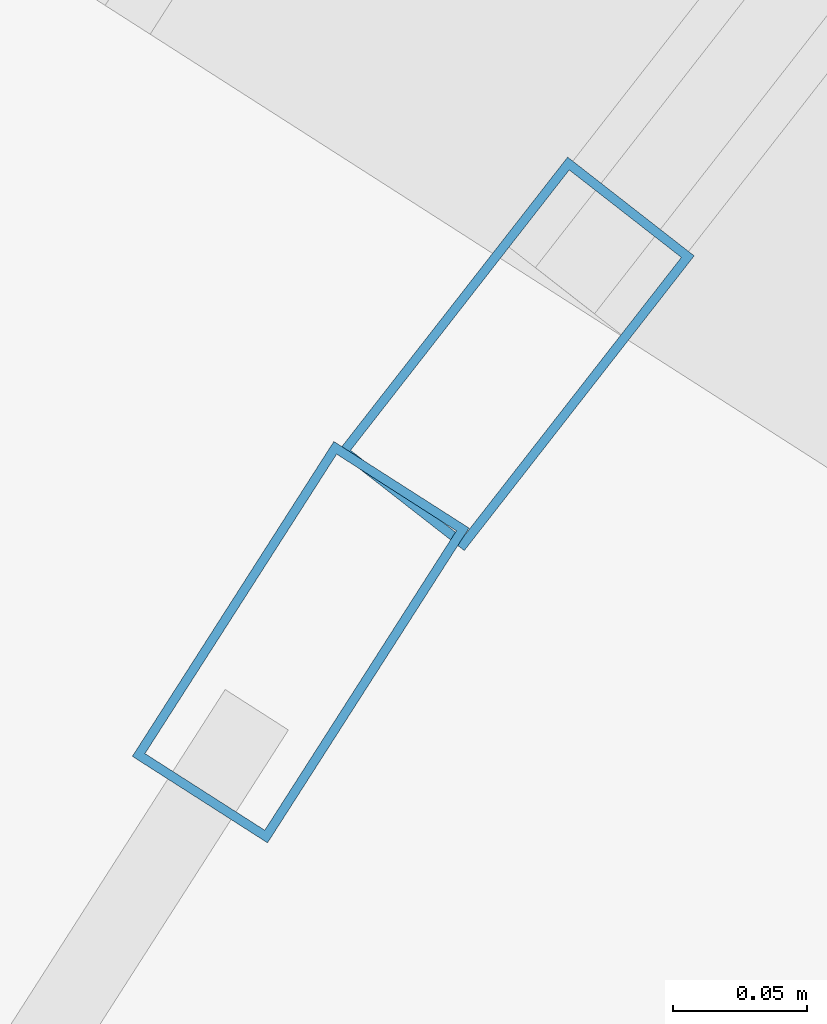
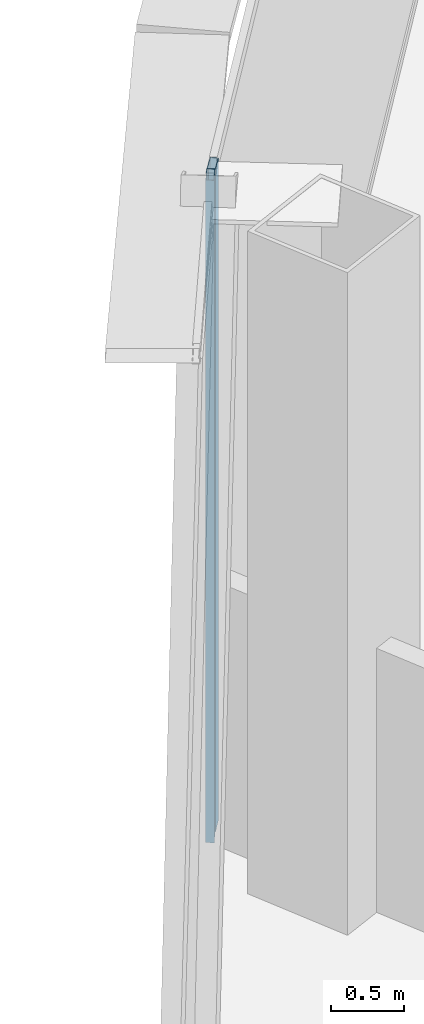
# One storey, part 19 of 38: 2 members, 2 elements without a shape of their own.
"""IFC4 building model written with IfcOpenShell, lengths in metres."""

from ifc_helpers import new_model, si_unit, direction, frame, origin, origin_2d, place, context, subcontext, project, spatial, hollow_rectangle, extrude, source, transform, mapped, material, layer, layer_set, material_profile, profile_set, type_object, element, aggregate, save


model = new_model("IFC4")

# Units and contexts
model_context = context("Model", 3, precision=1e-05, world=origin(), true_north=direction((0.0, 1.0)))
body_context = subcontext(model_context, "Body", "Model", "MODEL_VIEW")
ifc_project = project(units=[si_unit("LENGTHUNIT", "METRE"), si_unit("AREAUNIT", "SQUARE_METRE"), si_unit("VOLUMEUNIT", "CUBIC_METRE"), si_unit("PLANEANGLEUNIT", "RADIAN"), si_unit("MASSUNIT", "GRAM", prefix="KILO"), si_unit("THERMODYNAMICTEMPERATUREUNIT", "KELVIN"), si_unit("POWERUNIT", "WATT")], contexts=[model_context])

# Site, building, storey
site_placement = place(None, origin())
site = spatial("IfcSite", under=ifc_project, at=site_placement, CompositionType="ELEMENT")
building_placement = place(site_placement, origin())
building = spatial("IfcBuilding", under=site, at=building_placement, Name="Yunzhuo Pagoda Commons", CompositionType="ELEMENT")
storey_placement = place(building_placement, frame((0.0, 0.0, 266.909912109375)))
storey = spatial("IfcBuildingStorey", under=building, at=storey_placement, Name="L67", CompositionType="ELEMENT", Elevation=266.909912109375)

# Curtain wall, member
ifc_material = material(Name="Anodized aluminium 6063-T6", Category="aluminium")
ifc_layer = layer(ifc_material, 0.139892578125)
ifc_layer_set = layer_set([ifc_layer], Name="Anodized aluminium 6063-T6")
curtain_wall_type = type_object("IfcCurtainWallType", Name="CW-HI High-Zone Ribbon Curtain Wall", PredefinedType="NOTDEFINED", material=ifc_layer_set)
curtain_wall_1_placement = place(storey_placement, origin())
curtain_wall_1 = element("IfcCurtainWall", 1, at=curtain_wall_1_placement, inside=storey, type_object=curtain_wall_type, Name="L67 curtain wall CW-L67-F3B2", PredefinedType="NOTDEFINED")
ifc_material_profile = material_profile(ifc_material, hollow_rectangle(XDim=0.06005859375, YDim=0.139892578125, WallThickness=0.00341796875, at=origin_2d()), Name="Anodized aluminium 6063-T6")
ifc_profile_set = profile_set([ifc_material_profile], Name="Anodized aluminium 6063-T6")
member_type = type_object("IfcMemberType", Name="CW-HI-M Mullion RHS 140x60x3.5", PredefinedType="MULLION", material=ifc_profile_set)
shared_shape = source(origin(), body_context, "Body", "SweptSolid", [
    extrude(hollow_rectangle(XDim=0.06005859375, YDim=0.139892578125, WallThickness=0.00341796875, at=origin_2d()), origin(), (0.0, 0.0, 1.0), 5.5703125),
])
member_1_placement = place(storey_placement, frame((34.150390625, 64.745849609375, 0.0), z_axis=(0.0, 0.0, 1.0), x_axis=(0.842255727545, -0.539078184884, 0.0)))
member_1 = element("IfcMember", 2, at=member_1_placement, type_object=member_type, Name="CW mullion 1", PredefinedType="MULLION", context=body_context, shape_type="MappedRepresentation", body=[
    mapped(shared_shape, transform((0.0, 0.0, 0.0), scale=1.0)),
])
aggregate(curtain_wall_1, [member_1])

curtain_wall_2_placement = place(storey_placement, origin())
curtain_wall_2 = element("IfcCurtainWall", 3, at=curtain_wall_2_placement, inside=storey, type_object=curtain_wall_type, Name="L67 curtain wall CW-L67-F3B1", PredefinedType="NOTDEFINED")
member_2_placement = place(storey_placement, frame((34.23095703125, 64.853759765625, 0.0), z_axis=(0.0, 0.0, 1.0), x_axis=(0.788480008462, -0.615060384235, 0.0)))
member_2 = element("IfcMember", 4, at=member_2_placement, type_object=member_type, Name="CW mullion 2", PredefinedType="MULLION", context=body_context, shape_type="MappedRepresentation", body=[
    mapped(shared_shape, transform((0.0, 0.0, 0.0), scale=1.0)),
])
aggregate(curtain_wall_2, [member_2])

save(model, "model.ifc")
